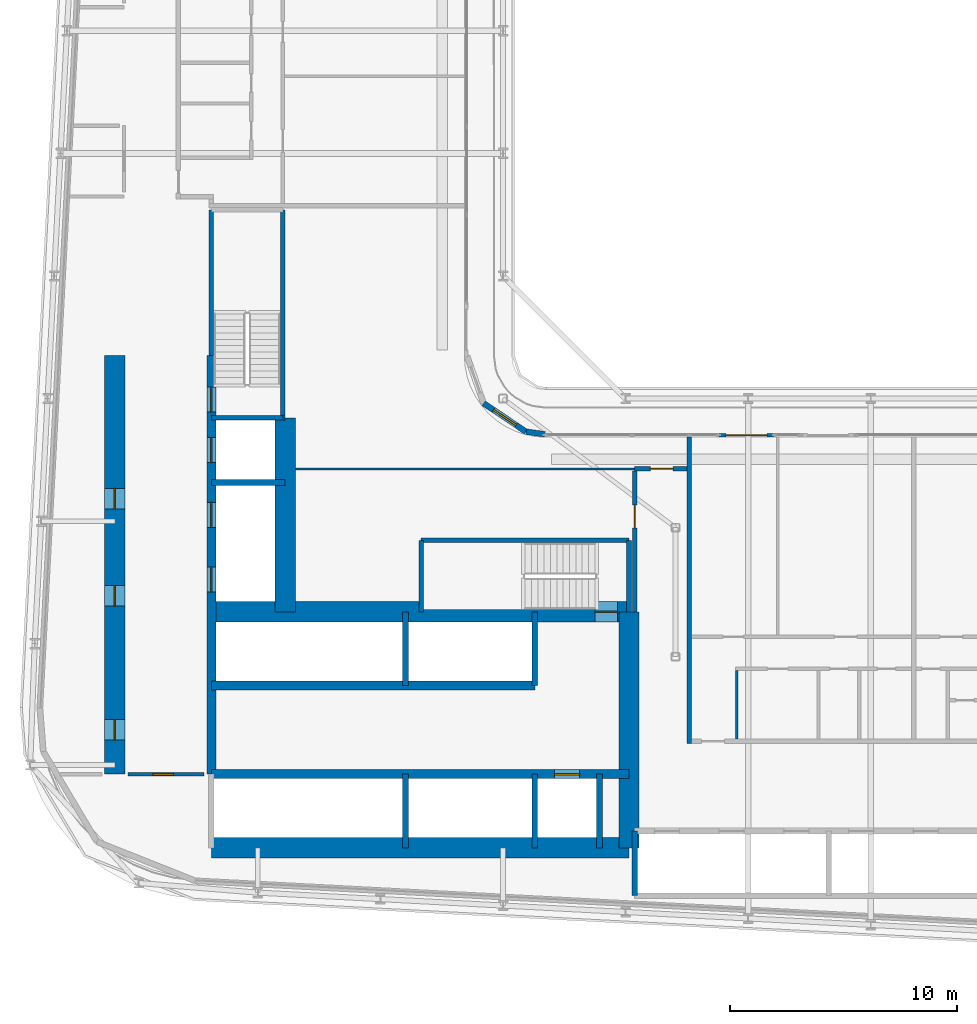
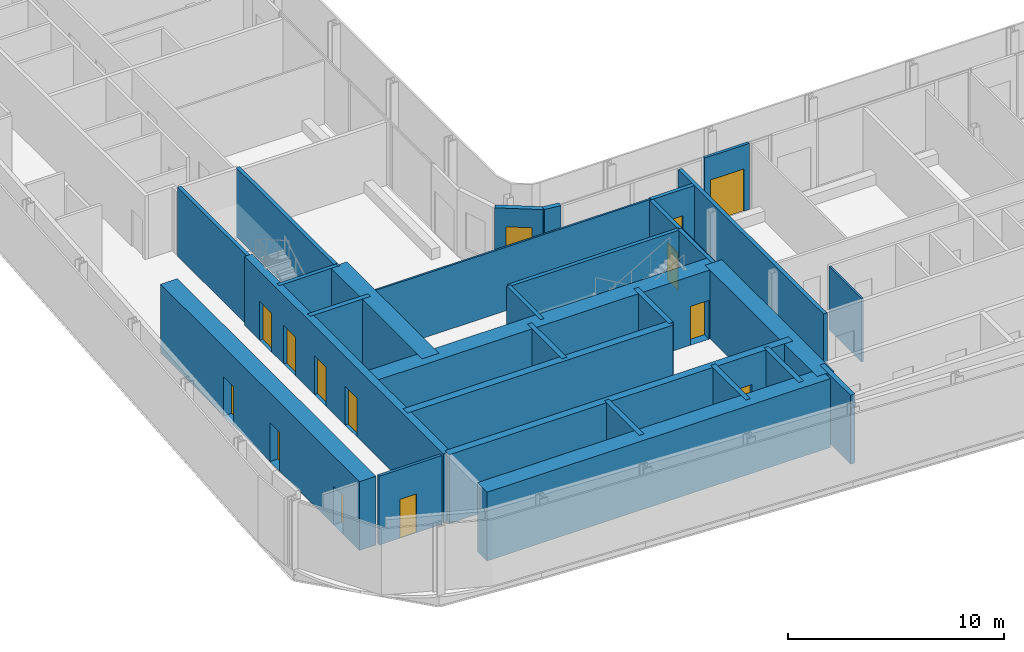
# One storey, part 13 of 28: 31 walls, 13 doors, 1 window, 14 openings.
"""IFC4 building model written with IfcOpenShell, lengths in metres."""

from ifc_helpers import new_model, si_unit, direction, frame, frame_2d, origin, place, context, subcontext, project, spatial, rectangle, extrude, source, transform, mapped, material, layer, layer_set, type_object, element, fill, save


model = new_model("IFC4")

# Units and contexts
model_context = context("Model", 3, precision=1e-05, world=origin(), true_north=direction((0.0, 1.0)))
body_context = subcontext(model_context, "Body", "Model", "MODEL_VIEW")
ifc_project = project(units=[si_unit("LENGTHUNIT", "METRE"), si_unit("AREAUNIT", "SQUARE_METRE"), si_unit("VOLUMEUNIT", "CUBIC_METRE"), si_unit("PLANEANGLEUNIT", "RADIAN"), si_unit("MASSUNIT", "GRAM", prefix="KILO")], contexts=[model_context])

# Site, building, storey
site_placement = place(None, origin())
site = spatial("IfcSite", under=ifc_project, at=site_placement, CompositionType="ELEMENT")
building_placement = place(site_placement, origin())
building = spatial("IfcBuilding", under=site, at=building_placement, Name="Kheshtan School and Residences Tower", CompositionType="ELEMENT")
storey_placement = place(building_placement, frame((0.0, 0.0, 133.10009765625)))
storey = spatial("IfcBuildingStorey", under=building, at=storey_placement, Name="L31", CompositionType="ELEMENT", Elevation=133.10009765625)

# Wall, opening, door
ifc_material_1 = material(Name="Concrete C50/60", Category="concrete")
ifc_layer_1 = layer(ifc_material_1, 0.39990234375)
ifc_layer_set_1 = layer_set([ifc_layer_1], Name="Core wall 400 Concrete C50/60")
wall_type_1 = type_object("IfcWallType", Name="Core wall 400 Concrete C50/60", PredefinedType="SHEAR", material=ifc_layer_set_1)
wall_1_placement = place(storey_placement, frame((34.75, 29.050048828125, 0.0), z_axis=(0.0, 0.0, 1.0), x_axis=(1.0, 0.0, 0.0)))
wall_1 = element("IfcWall", 1, at=wall_1_placement, inside=storey, type_object=wall_type_1, Name="Core wall CW-HALL-S1", PredefinedType="SHEAR", context=body_context, shape_type="SweptSolid", body=[
    extrude(rectangle(XDim=18.39990234375, YDim=0.39990234375, at=frame_2d((9.199951171875, 0.0))), origin(), (0.0, 0.0, 1.0), 3.89990234375),
])
opening_1_placement = place(wall_1_placement, frame((15.125, 0.0, 0.0)))
opening_1 = element("IfcOpeningElement", 2, at=opening_1_placement, cuts=wall_1, Name="Opening LD", PredefinedType="OPENING", context=body_context, shape_type="SweptSolid", body=[
    extrude(rectangle(XDim=1.10009765625, YDim=2.199951171875, at=frame_2d((0.550048828125, 1.10009765625))), frame((0.0, 0.2099609375, 0.0), z_axis=(0.0, -1.0, 0.0), x_axis=(1.0, 0.0, 0.0)), (0.0, 0.0, 1.0), 0.419921875),
])
ifc_material_2 = material(Name="Stainless steel door leaves", Category="steel")
door_type_1 = type_object("IfcDoorType", Name="Lift landing door 1100", OperationType="SLIDING_TO_LEFT", PredefinedType="DOOR", material=ifc_material_2)
shared_shape_1 = source(origin(), body_context, "Body", "SweptSolid", [
    extrude(rectangle(XDim=1.10009765625, YDim=2.199951171875, at=frame_2d((0.550048828125, 1.10009765625))), frame((0.0, 0.02490234375, 0.0), z_axis=(0.0, -1.0, 0.0), x_axis=(1.0, 0.0, 0.0)), (0.0, 0.0, 1.0), 0.050048828125),
])
door_1_placement = place(opening_1_placement, origin())
door_1 = element("IfcDoor", 3, at=door_1_placement, inside=storey, type_object=door_type_1, Name="Lift FFL2 landing door", OperationType="SLIDING_TO_LEFT", OverallHeight=2.199951171875, OverallWidth=1.10009765625, PredefinedType="DOOR", context=body_context, shape_type="MappedRepresentation", body=[
    mapped(shared_shape_1, transform((0.0, 0.0, 0.0), x_axis=(1.0, 0.0, 0.0), y_axis=(0.0, 1.0, 0.0), z_axis=(0.0, 0.0, 1.0), scale=1.0)),
])
fill(opening_1, door_1)

# Wall
wall_2_placement = place(storey_placement, frame((34.75, 32.949951171875, 0.0), z_axis=(0.0, 0.0, 1.0), x_axis=(1.0, 0.0, 0.0)))
element("IfcWall", 4, at=wall_2_placement, inside=storey, type_object=wall_type_1, Name="Core wall CW-HALL-S2", PredefinedType="SHEAR", context=body_context, shape_type="SweptSolid", body=[
    extrude(rectangle(XDim=14.25, YDim=0.39990234375, at=frame_2d((7.125, 0.0))), origin(), (0.0, 0.0, 1.0), 3.89990234375),
])

# Wall, openings, doors
wall_3_placement = place(storey_placement, frame((34.75, 29.050048828125, 0.0), z_axis=(0.0, 0.0, 1.0), x_axis=(0.0, 1.0, 0.0)))
wall_3 = element("IfcWall", 5, at=wall_3_placement, inside=storey, type_object=wall_type_1, Name="Core wall CW-HALL-W1", PredefinedType="SHEAR", context=body_context, shape_type="SweptSolid", body=[
    extrude(rectangle(XDim=18.449951171875, YDim=0.39990234375, at=frame_2d((9.22509765625, 0.0))), origin(), (0.0, 0.0, 1.0), 3.89990234375),
])
opening_2_placement = place(wall_3_placement, frame((8.02490234375, 0.0, 0.0)))
opening_2 = element("IfcOpeningElement", 6, at=opening_2_placement, cuts=wall_3, Name="Opening LD", PredefinedType="OPENING", context=body_context, shape_type="SweptSolid", body=[
    extrude(rectangle(XDim=1.10009765625, YDim=2.199951171875, at=frame_2d((0.550048828125, 1.10009765625))), frame((0.0, 0.2099609375, 0.0), z_axis=(0.0, -1.0, 0.0), x_axis=(1.0, 0.0, 0.0)), (0.0, 0.0, 1.0), 0.419921875),
])
opening_3_placement = place(wall_3_placement, frame((10.875, 0.0, 0.0)))
opening_3 = element("IfcOpeningElement", 7, at=opening_3_placement, cuts=wall_3, Name="Opening LD", PredefinedType="OPENING", context=body_context, shape_type="SweptSolid", body=[
    extrude(rectangle(XDim=1.10009765625, YDim=2.199951171875, at=frame_2d((0.550048828125, 1.10009765625))), frame((0.0, 0.2099609375, 0.0), z_axis=(0.0, -1.0, 0.0), x_axis=(1.0, 0.0, 0.0)), (0.0, 0.0, 1.0), 0.419921875),
])
opening_4_placement = place(wall_3_placement, frame((13.72509765625, 0.0, 0.0)))
opening_4 = element("IfcOpeningElement", 8, at=opening_4_placement, cuts=wall_3, Name="Opening LD", PredefinedType="OPENING", context=body_context, shape_type="SweptSolid", body=[
    extrude(rectangle(XDim=1.10009765625, YDim=2.199951171875, at=frame_2d((0.550048828125, 1.10009765625))), frame((0.0, 0.2099609375, 0.0), z_axis=(0.0, -1.0, 0.0), x_axis=(1.0, 0.0, 0.0)), (0.0, 0.0, 1.0), 0.419921875),
])
opening_5_placement = place(wall_3_placement, frame((15.949951171875, 0.0, 0.0)))
opening_5 = element("IfcOpeningElement", 9, at=opening_5_placement, cuts=wall_3, Name="Opening ST2D", PredefinedType="OPENING", context=body_context, shape_type="SweptSolid", body=[
    extrude(rectangle(XDim=1.10009765625, YDim=2.199951171875, at=frame_2d((0.550048828125, 1.10009765625))), frame((0.0, 0.2099609375, 0.0), z_axis=(0.0, -1.0, 0.0), x_axis=(1.0, 0.0, 0.0)), (0.0, 0.0, 1.0), 0.419921875),
])
door_2_placement = place(opening_2_placement, origin())
door_2 = element("IfcDoor", 10, at=door_2_placement, inside=storey, type_object=door_type_1, Name="Lift SV1 landing door", OperationType="SLIDING_TO_LEFT", OverallHeight=2.199951171875, OverallWidth=1.10009765625, PredefinedType="DOOR", context=body_context, shape_type="MappedRepresentation", body=[
    mapped(shared_shape_1, transform((0.0, 0.0, 0.0), x_axis=(1.0, 0.0, 0.0), y_axis=(0.0, 1.0, 0.0), z_axis=(0.0, 0.0, 1.0), scale=1.0)),
])
fill(opening_2, door_2)
door_3_placement = place(opening_3_placement, origin())
door_3 = element("IfcDoor", 11, at=door_3_placement, inside=storey, type_object=door_type_1, Name="Lift SV2 landing door", OperationType="SLIDING_TO_LEFT", OverallHeight=2.199951171875, OverallWidth=1.10009765625, PredefinedType="DOOR", context=body_context, shape_type="MappedRepresentation", body=[
    mapped(shared_shape_1, transform((0.0, 0.0, 0.0), x_axis=(1.0, 0.0, 0.0), y_axis=(0.0, 1.0, 0.0), z_axis=(0.0, 0.0, 1.0), scale=1.0)),
])
fill(opening_3, door_3)
door_4_placement = place(opening_4_placement, origin())
door_4 = element("IfcDoor", 12, at=door_4_placement, inside=storey, type_object=door_type_1, Name="Lift FFL1 landing door", OperationType="SLIDING_TO_LEFT", OverallHeight=2.199951171875, OverallWidth=1.10009765625, PredefinedType="DOOR", context=body_context, shape_type="MappedRepresentation", body=[
    mapped(shared_shape_1, transform((0.0, 0.0, 0.0), x_axis=(1.0, 0.0, 0.0), y_axis=(0.0, 1.0, 0.0), z_axis=(0.0, 0.0, 1.0), scale=1.0)),
])
fill(opening_4, door_4)
ifc_material_3 = material(Name="Steel door leaf, galvanised", Category="steel")
door_type_2 = type_object("IfcDoorType", Name="Stair door 1100 steel 90 min", OperationType="SINGLE_SWING_LEFT", PredefinedType="DOOR", material=ifc_material_3)
shared_shape_2 = source(origin(), body_context, "Body", "SweptSolid", [
    extrude(rectangle(XDim=1.10009765625, YDim=2.199951171875, at=frame_2d((0.550048828125, 1.10009765625))), frame((0.0, 0.02490234375, 0.0), z_axis=(0.0, -1.0, 0.0), x_axis=(1.0, 0.0, 0.0)), (0.0, 0.0, 1.0), 0.050048828125),
])
door_5_placement = place(opening_5_placement, origin())
door_5 = element("IfcDoor", 13, at=door_5_placement, inside=storey, type_object=door_type_2, Name="Stair ST2 door", OperationType="SINGLE_SWING_RIGHT", OverallHeight=2.199951171875, OverallWidth=1.10009765625, PredefinedType="DOOR", context=body_context, shape_type="MappedRepresentation", body=[
    mapped(shared_shape_2, transform((0.0, 0.0, 0.0), x_axis=(1.0, 0.0, 0.0), y_axis=(0.0, 1.0, 0.0), z_axis=(0.0, 0.0, 1.0), scale=1.0)),
])
fill(opening_5, door_5)

# Wall
ifc_material_4 = material(Name="Concrete C80/95", Category="concrete")
ifc_layer_2 = layer(ifc_material_4, 0.89990234375)
ifc_layer_set_2 = layer_set([ifc_layer_2], Name="Core wall 900 Concrete C80/95")
wall_type_2 = type_object("IfcWallType", Name="Core wall 900 Concrete C80/95", PredefinedType="SHEAR", material=ifc_layer_set_2)
wall_4_placement = place(storey_placement, frame((34.75, 25.800048828125, 0.0), z_axis=(0.0, 0.0, 1.0), x_axis=(1.0, 0.0, 0.0)))
element("IfcWall", 14, at=wall_4_placement, inside=storey, type_object=wall_type_2, Name="Core wall CW-REAR-S", PredefinedType="SHEAR", context=body_context, shape_type="SweptSolid", body=[
    extrude(rectangle(XDim=18.39990234375, YDim=0.89990234375, at=frame_2d((9.199951171875, 0.0))), origin(), (0.0, 0.0, 1.0), 3.89990234375),
])

# Wall, opening, door
wall_5_placement = place(storey_placement, frame((34.75, 36.199951171875, 0.0), z_axis=(0.0, 0.0, 1.0), x_axis=(1.0, 0.0, 0.0)))
wall_5 = element("IfcWall", 15, at=wall_5_placement, inside=storey, type_object=wall_type_2, Name="Core wall CW-FRONT-S", PredefinedType="SHEAR", context=body_context, shape_type="SweptSolid", body=[
    extrude(rectangle(XDim=18.39990234375, YDim=0.89990234375, at=frame_2d((9.199951171875, 0.0))), origin(), (0.0, 0.0, 1.0), 3.89990234375),
])
opening_6_placement = place(wall_5_placement, frame((16.89990234375, 0.0, 0.0)))
opening_6 = element("IfcOpeningElement", 16, at=opening_6_placement, cuts=wall_5, Name="Opening ST1D", PredefinedType="OPENING", context=body_context, shape_type="SweptSolid", body=[
    extrude(rectangle(XDim=1.0, YDim=2.199951171875, at=frame_2d((0.5, 1.10009765625))), frame((0.0, 0.4599609375, 0.0), z_axis=(0.0, -1.0, 0.0), x_axis=(1.0, 0.0, 0.0)), (0.0, 0.0, 1.0), 0.919921875),
])
shared_shape_3 = source(origin(), body_context, "Body", "SweptSolid", [
    extrude(rectangle(XDim=1.0, YDim=2.199951171875, at=frame_2d((0.5, 1.10009765625))), frame((0.0, 0.02490234375, 0.0), z_axis=(0.0, -1.0, 0.0), x_axis=(1.0, 0.0, 0.0)), (0.0, 0.0, 1.0), 0.050048828125),
])
door_6_placement = place(opening_6_placement, origin())
door_6 = element("IfcDoor", 17, at=door_6_placement, inside=storey, type_object=door_type_2, Name="Stair ST1 door", OperationType="SINGLE_SWING_RIGHT", OverallHeight=2.199951171875, OverallWidth=1.0, PredefinedType="DOOR", context=body_context, shape_type="MappedRepresentation", body=[
    mapped(shared_shape_3, transform((0.0, 0.0, 0.0), x_axis=(1.0, 0.0, 0.0), y_axis=(0.0, 1.0, 0.0), z_axis=(0.0, 0.0, 1.0), scale=1.0)),
])
fill(opening_6, door_6)

# Wall
wall_6_placement = place(storey_placement, frame((38.0, 36.199951171875, 0.0), z_axis=(0.0, 0.0, 1.0), x_axis=(0.0, 1.0, 0.0)))
element("IfcWall", 18, at=wall_6_placement, inside=storey, type_object=wall_type_2, Name="Core wall CW-FRONT-W", PredefinedType="SHEAR", context=body_context, shape_type="SweptSolid", body=[
    extrude(rectangle(XDim=8.550048828125, YDim=0.89990234375, at=frame_2d((4.27490234375, 0.0))), origin(), (0.0, 0.0, 1.0), 3.89990234375),
])

# Wall, openings, doors
wall_7_placement = place(storey_placement, frame((30.5, 29.050048828125, 0.0), z_axis=(0.0, 0.0, 1.0), x_axis=(0.0, 1.0, 0.0)))
wall_7 = element("IfcWall", 19, at=wall_7_placement, inside=storey, type_object=wall_type_2, Name="Core wall CW-REAR-W", PredefinedType="SHEAR", context=body_context, shape_type="SweptSolid", body=[
    extrude(rectangle(XDim=18.449951171875, YDim=0.89990234375, at=frame_2d((9.22509765625, 0.0))), origin(), (0.0, 0.0, 1.0), 3.89990234375),
])
opening_7_placement = place(wall_7_placement, frame((1.5, 0.0, 0.0)))
opening_7 = element("IfcOpeningElement", 20, at=opening_7_placement, cuts=wall_7, Name="Opening SR90", PredefinedType="OPENING", context=body_context, shape_type="SweptSolid", body=[
    extrude(rectangle(XDim=0.89990234375, YDim=2.199951171875, at=frame_2d((0.449951171875, 1.10009765625))), frame((0.0, 0.4599609375, 0.0), z_axis=(0.0, -1.0, 0.0), x_axis=(1.0, 0.0, 0.0)), (0.0, 0.0, 1.0), 0.919921875),
])
opening_8_placement = place(wall_7_placement, frame((7.406005859375, 0.0, 0.0)))
opening_8 = element("IfcOpeningElement", 21, at=opening_8_placement, cuts=wall_7, Name="Opening SR90", PredefinedType="OPENING", context=body_context, shape_type="SweptSolid", body=[
    extrude(rectangle(XDim=0.89990234375, YDim=2.199951171875, at=frame_2d((0.449951171875, 1.10009765625))), frame((0.0, 0.4599609375, 0.0), z_axis=(0.0, -1.0, 0.0), x_axis=(1.0, 0.0, 0.0)), (0.0, 0.0, 1.0), 0.919921875),
])
opening_9_placement = place(wall_7_placement, frame((11.68798828125, 0.0, 0.0)))
opening_9 = element("IfcOpeningElement", 22, at=opening_9_placement, cuts=wall_7, Name="Opening SR90", PredefinedType="OPENING", context=body_context, shape_type="SweptSolid", body=[
    extrude(rectangle(XDim=0.89990234375, YDim=2.199951171875, at=frame_2d((0.449951171875, 1.10009765625))), frame((0.0, 0.4599609375, 0.0), z_axis=(0.0, -1.0, 0.0), x_axis=(1.0, 0.0, 0.0)), (0.0, 0.0, 1.0), 0.919921875),
])
door_type_3 = type_object("IfcDoorType", Name="Service room door 900 steel 90 min", OperationType="SINGLE_SWING_LEFT", PredefinedType="DOOR", material=ifc_material_3)
shared_shape_4 = source(origin(), body_context, "Body", "SweptSolid", [
    extrude(rectangle(XDim=0.89990234375, YDim=2.199951171875, at=frame_2d((0.449951171875, 1.10009765625))), frame((0.0, 0.02490234375, 0.0), z_axis=(0.0, -1.0, 0.0), x_axis=(1.0, 0.0, 0.0)), (0.0, 0.0, 1.0), 0.050048828125),
])
door_7_placement = place(opening_7_placement, origin())
door_7 = element("IfcDoor", 23, at=door_7_placement, inside=storey, type_object=door_type_3, Name="Service room door", OperationType="SINGLE_SWING_LEFT", OverallHeight=2.199951171875, OverallWidth=0.89990234375, PredefinedType="DOOR", context=body_context, shape_type="MappedRepresentation", body=[
    mapped(shared_shape_4, transform((0.0, 0.0, 0.0), x_axis=(1.0, 0.0, 0.0), y_axis=(0.0, 1.0, 0.0), z_axis=(0.0, 0.0, 1.0), scale=1.0)),
])
fill(opening_7, door_7)
door_8_placement = place(opening_8_placement, origin())
door_8 = element("IfcDoor", 24, at=door_8_placement, inside=storey, type_object=door_type_3, Name="Service room door", OperationType="SINGLE_SWING_RIGHT", OverallHeight=2.199951171875, OverallWidth=0.89990234375, PredefinedType="DOOR", context=body_context, shape_type="MappedRepresentation", body=[
    mapped(shared_shape_4, transform((0.0, 0.0, 0.0), x_axis=(1.0, 0.0, 0.0), y_axis=(0.0, 1.0, 0.0), z_axis=(0.0, 0.0, 1.0), scale=1.0)),
])
fill(opening_8, door_8)
door_9_placement = place(opening_9_placement, origin())
door_9 = element("IfcDoor", 25, at=door_9_placement, inside=storey, type_object=door_type_3, Name="Service room door", OperationType="SINGLE_SWING_LEFT", OverallHeight=2.199951171875, OverallWidth=0.89990234375, PredefinedType="DOOR", context=body_context, shape_type="MappedRepresentation", body=[
    mapped(shared_shape_4, transform((0.0, 0.0, 0.0), x_axis=(1.0, 0.0, 0.0), y_axis=(0.0, 1.0, 0.0), z_axis=(0.0, 0.0, 1.0), scale=1.0)),
])
fill(opening_9, door_9)

# Wall
wall_8_placement = place(storey_placement, frame((53.14990234375, 25.800048828125, 0.0), z_axis=(0.0, 0.0, 1.0), x_axis=(0.0, 1.0, 0.0)))
element("IfcWall", 26, at=wall_8_placement, inside=storey, type_object=wall_type_2, Name="Core wall CW-EAST", PredefinedType="SHEAR", context=body_context, shape_type="SweptSolid", body=[
    extrude(rectangle(XDim=10.39990234375, YDim=0.89990234375, at=frame_2d((5.199951171875, 0.0))), origin(), (0.0, 0.0, 1.0), 3.89990234375),
])

# Wall, opening, door
ifc_material_5 = material(Name="Gypsum board on steel studs with fire boards", Category="steel")
ifc_layer_3 = layer(ifc_material_5, 0.199951171875)
ifc_layer_set_3 = layer_set([ifc_layer_3], Name="Corridor wall 200")
wall_type_3 = type_object("IfcWallType", Name="Corridor wall 200", PredefinedType="PARTITIONING", material=ifc_layer_set_3)
wall_9_placement = place(storey_placement, frame((53.39990234375, 36.198974609375, 0.0), z_axis=(0.0, 0.0, 1.0), x_axis=(0.0, 1.0, 0.0)))
wall_9 = element("IfcWall", 27, at=wall_9_placement, inside=storey, type_object=wall_type_3, Name="Partition L31-044", PredefinedType="PARTITIONING", context=body_context, shape_type="SweptSolid", body=[
    extrude(rectangle(XDim=6.200927734375, YDim=0.199951171875, at=frame_2d((3.1005859375, 0.0))), origin(), (0.0, 0.0, 1.0), 3.599853515625),
])
opening_10_placement = place(wall_9_placement, frame((3.70703125, 0.0, 0.0)))
opening_10 = element("IfcOpeningElement", 28, at=opening_10_placement, cuts=wall_9, Name="Opening D29-063", PredefinedType="OPENING", context=body_context, shape_type="SweptSolid", body=[
    extrude(rectangle(XDim=1.0, YDim=2.10009765625, at=frame_2d((0.5, 1.050048828125))), frame((0.0, 0.10986328125, 0.0), z_axis=(0.0, -1.0, 0.0), x_axis=(1.0, 0.0, 0.0)), (0.0, 0.0, 1.0), 0.219970703125),
])
ifc_material_6 = material(Name="Steel-framed fire-resisting door leaf", Category="steel")
door_type_4 = type_object("IfcDoorType", Name="Fire door FD60 1000 x 2100", OperationType="SINGLE_SWING_LEFT", PredefinedType="DOOR", material=ifc_material_6)
shared_shape_5 = source(origin(), body_context, "Body", "SweptSolid", [
    extrude(rectangle(XDim=1.0, YDim=2.10009765625, at=frame_2d((0.5, 1.050048828125))), frame((0.0, 0.02490234375, 0.0), z_axis=(0.0, -1.0, 0.0), x_axis=(1.0, 0.0, 0.0)), (0.0, 0.0, 1.0), 0.050048828125),
])
door_10_placement = place(opening_10_placement, origin())
door_10 = element("IfcDoor", 29, at=door_10_placement, inside=storey, type_object=door_type_4, Name="Door D29-063", OperationType="SINGLE_SWING_LEFT", OverallHeight=2.10009765625, OverallWidth=1.0, PredefinedType="DOOR", context=body_context, shape_type="MappedRepresentation", body=[
    mapped(shared_shape_5, transform((0.0, 0.0, 0.0), x_axis=(1.0, 0.0, 0.0), y_axis=(0.0, 1.0, 0.0), z_axis=(0.0, 0.0, 1.0), scale=1.0)),
])
fill(opening_10, door_10)

wall_10_placement = place(storey_placement, frame((53.39990234375, 42.5, 0.0), z_axis=(0.0, 0.0, 1.0), x_axis=(1.0, 0.0, 0.0)))
wall_10 = element("IfcWall", 30, at=wall_10_placement, inside=storey, type_object=wall_type_3, Name="Partition L31-045", PredefinedType="PARTITIONING", context=body_context, shape_type="SweptSolid", body=[
    extrude(rectangle(XDim=2.300048828125, YDim=0.199951171875, at=frame_2d((1.14990234375, 0.0))), origin(), (0.0, 0.0, 1.0), 3.599853515625),
])
opening_11_placement = place(wall_10_placement, frame((0.695068359375, 0.0, 0.0)))
opening_11 = element("IfcOpeningElement", 31, at=opening_11_placement, cuts=wall_10, Name="Opening D29-064", PredefinedType="OPENING", context=body_context, shape_type="SweptSolid", body=[
    extrude(rectangle(XDim=1.0, YDim=2.10009765625, at=frame_2d((0.5, 1.050048828125))), frame((0.0, 0.10986328125, 0.0), z_axis=(0.0, -1.0, 0.0), x_axis=(1.0, 0.0, 0.0)), (0.0, 0.0, 1.0), 0.219970703125),
])
door_11_placement = place(opening_11_placement, origin())
door_11 = element("IfcDoor", 32, at=door_11_placement, inside=storey, type_object=door_type_4, Name="Door D29-064", OperationType="SINGLE_SWING_RIGHT", OverallHeight=2.10009765625, OverallWidth=1.0, PredefinedType="DOOR", context=body_context, shape_type="MappedRepresentation", body=[
    mapped(shared_shape_5, transform((0.0, 0.0, 0.0), x_axis=(1.0, 0.0, 0.0), y_axis=(0.0, 1.0, 0.0), z_axis=(0.0, 0.0, 1.0), scale=1.0)),
])
fill(opening_11, door_11)

# Wall, opening, window
ifc_material_7 = material(Name="Concrete C40/50 with ceramic cladding and mineral wool insulation", Category="concrete")
ifc_layer_4 = layer(ifc_material_7, 0.25)
ifc_layer_set_4 = layer_set([ifc_layer_4], Name="External wall 250 ceramic clad")
wall_type_4 = type_object("IfcWallType", Name="External wall 250 ceramic clad", PredefinedType="SOLIDWALL", material=ifc_layer_set_4)
wall_11_placement = place(storey_placement, frame((46.742919921875, 45.388916015625, 0.0), z_axis=(0.0, 0.0, 1.0), x_axis=(0.831449265529, -0.555600682912, 0.0)))
wall_11 = element("IfcWall", 33, at=wall_11_placement, inside=storey, type_object=wall_type_4, Name="External wall L31 10", PredefinedType="SOLIDWALL", context=body_context, shape_type="SweptSolid", body=[
    extrude(rectangle(XDim=2.25146484375, YDim=0.25, at=frame_2d((1.125732421875, 0.0))), origin(), (0.0, 0.0, 1.0), 3.75),
])
opening_12_placement = place(wall_11_placement, frame((0.52490234375, 0.0, 0.60009765625)))
opening_12 = element("IfcOpeningElement", 34, at=opening_12_placement, cuts=wall_11, Name="Opening WN-E", PredefinedType="OPENING", context=body_context, shape_type="SweptSolid", body=[
    extrude(rectangle(XDim=1.199951171875, YDim=2.10009765625, at=frame_2d((0.60009765625, 1.050048828125))), frame((0.0, 0.135009765625, 0.0), z_axis=(0.0, -1.0, 0.0), x_axis=(1.0, 0.0, 0.0)), (0.0, 0.0, 1.0), 0.27001953125),
])
ifc_material_8 = material(Name="Clear low-e glass in thermally broken aluminium frame", Category="aluminium")
window_type = type_object("IfcWindowType", Name="Window WN-E", PartitioningType="SINGLE_PANEL", PredefinedType="WINDOW", material=ifc_material_8)
shared_shape_6 = source(origin(), body_context, "Body", "SweptSolid", [
    extrude(rectangle(XDim=1.199951171875, YDim=2.10009765625, at=frame_2d((0.60009765625, 1.050048828125))), frame((0.0, 0.030029296875, 0.0), z_axis=(0.0, -1.0, 0.0), x_axis=(1.0, 0.0, 0.0)), (0.0, 0.0, 1.0), 0.06005859375),
])
window_placement = place(opening_12_placement, origin())
window = element("IfcWindow", 35, at=window_placement, inside=storey, type_object=window_type, Name="Window L31 10", OverallHeight=2.10009765625, OverallWidth=1.199951171875, PartitioningType="SINGLE_PANEL", PredefinedType="WINDOW", context=body_context, shape_type="MappedRepresentation", body=[
    mapped(shared_shape_6, transform((0.0, 0.0, 0.0), x_axis=(1.0, 0.0, 0.0), y_axis=(0.0, 1.0, 0.0), z_axis=(0.0, 0.0, 1.0), scale=1.0)),
])
fill(opening_12, window)

# Wall
wall_12_placement = place(storey_placement, frame((48.614990234375, 44.137939453125, 0.0), z_axis=(0.0, 0.0, 1.0), x_axis=(0.990741504246, -0.135761819977, 0.0)))
element("IfcWall", 36, at=wall_12_placement, inside=storey, type_object=wall_type_4, Name="External wall L31 11", PredefinedType="SOLIDWALL", context=body_context, shape_type="SweptSolid", body=[
    extrude(rectangle(XDim=0.83984375, YDim=0.25, at=frame_2d((0.419921875, 0.0))), origin(), (0.0, 0.0, 1.0), 3.75),
])

# Wall, opening, door
ifc_material_9 = material(Name="Aluminium frame wall with insulated infill", Category="aluminium")
ifc_layer_5 = layer(ifc_material_9, 0.14990234375)
ifc_layer_set_5 = layer_set([ifc_layer_5], Name="Glazing frame wall 150")
wall_type_5 = type_object("IfcWallType", Name="Glazing frame wall 150", PredefinedType="SOLIDWALL", material=ifc_layer_set_5)
wall_13_placement = place(storey_placement, frame((57.1240234375, 43.97509765625, 0.0), z_axis=(0.0, 0.0, 1.0), x_axis=(1.0, 0.0, 0.0)))
wall_13 = element("IfcWall", 37, at=wall_13_placement, inside=storey, type_object=wall_type_5, Name="Balcony door wall L31 12.1", PredefinedType="SOLIDWALL", context=body_context, shape_type="SweptSolid", body=[
    extrude(rectangle(XDim=2.39990234375, YDim=0.14990234375, at=frame_2d((1.199951171875, 0.0))), origin(), (0.0, 0.0, 1.0), 3.75),
])
opening_13_placement = place(wall_13_placement, frame((0.300048828125, 0.0, 0.0)))
opening_13 = element("IfcOpeningElement", 38, at=opening_13_placement, cuts=wall_13, Name="Opening BD", PredefinedType="OPENING", context=body_context, shape_type="SweptSolid", body=[
    extrude(rectangle(XDim=1.800048828125, YDim=2.39990234375, at=frame_2d((0.89990234375, 1.199951171875))), frame((0.0, 0.0849609375, 0.0), z_axis=(0.0, -1.0, 0.0), x_axis=(1.0, 0.0, 0.0)), (0.0, 0.0, 1.0), 0.169921875),
])
door_type_5 = type_object("IfcDoorType", Name="Balcony sliding door", OperationType="SLIDING_TO_LEFT", PredefinedType="DOOR", material=ifc_material_8)
shared_shape_7 = source(origin(), body_context, "Body", "SweptSolid", [
    extrude(rectangle(XDim=1.800048828125, YDim=2.39990234375, at=frame_2d((0.89990234375, 1.199951171875))), frame((0.0, 0.02490234375, 0.0), z_axis=(0.0, -1.0, 0.0), x_axis=(1.0, 0.0, 0.0)), (0.0, 0.0, 1.0), 0.050048828125),
])
door_12_placement = place(opening_13_placement, origin())
door_12 = element("IfcDoor", 39, at=door_12_placement, inside=storey, type_object=door_type_5, Name="Balcony door L31 12.1", OperationType="SLIDING_TO_LEFT", OverallHeight=2.39990234375, OverallWidth=1.800048828125, PredefinedType="DOOR", context=body_context, shape_type="MappedRepresentation", body=[
    mapped(shared_shape_7, transform((0.0, 0.0, 0.0), x_axis=(1.0, 0.0, 0.0), y_axis=(0.0, 1.0, 0.0), z_axis=(0.0, 0.0, 1.0), scale=1.0)),
])
fill(opening_13, door_12)

# Walls
ifc_material_10 = material(Name="Gypsum board on steel studs", Category="steel")
ifc_layer_6 = layer(ifc_material_10, 0.10009765625)
ifc_layer_set_6 = layer_set([ifc_layer_6], Name="Gypsum partition 100")
wall_type_6 = type_object("IfcWallType", Name="Gypsum partition 100", PredefinedType="PARTITIONING", material=ifc_layer_set_6)
wall_14_placement = place(storey_placement, frame((38.448974609375, 42.5, 0.0), z_axis=(0.0, 0.0, 1.0), x_axis=(1.0, 0.0, 0.0)))
element("IfcWall", 40, at=wall_14_placement, inside=storey, type_object=wall_type_6, Name="Partition L31-042", PredefinedType="PARTITIONING", context=body_context, shape_type="SweptSolid", body=[
    extrude(rectangle(XDim=14.950927734375, YDim=0.10009765625, at=frame_2d((7.4755859375, 0.0))), origin(), (0.0, 0.0, 1.0), 3.599853515625),
])
wall_15_placement = place(storey_placement, frame((57.89990234375, 30.60009765625, 0.0), z_axis=(0.0, 0.0, 1.0), x_axis=(0.0, 1.0, 0.0)))
element("IfcWall", 41, at=wall_15_placement, inside=storey, type_object=wall_type_6, Name="Partition L31-050", PredefinedType="PARTITIONING", context=body_context, shape_type="SweptSolid", body=[
    extrude(rectangle(XDim=3.02490234375, YDim=0.10009765625, at=frame_2d((1.512451171875, 0.0))), origin(), (0.0, 0.0, 1.0), 3.599853515625),
])

# Wall, opening, door
ifc_material_11 = material(Name="Fire-board shaft wall system")
ifc_layer_7 = layer(ifc_material_11, 0.14990234375)
ifc_layer_set_7 = layer_set([ifc_layer_7], Name="Service room wall 150")
wall_type_7 = type_object("IfcWallType", Name="Service room wall 150", PredefinedType="PARTITIONING", material=ifc_layer_set_7)
wall_16_placement = place(storey_placement, frame((31.070068359375, 29.050048828125, 0.0), z_axis=(0.0, 0.0, 1.0), x_axis=(1.0, 0.0, 0.0)))
wall_16 = element("IfcWall", 42, at=wall_16_placement, inside=storey, type_object=wall_type_7, Name="Service room wall", PredefinedType="PARTITIONING", context=body_context, shape_type="SweptSolid", body=[
    extrude(rectangle(XDim=3.35986328125, YDim=0.14990234375, at=frame_2d((1.679931640625, 0.0))), origin(), (0.0, 0.0, 1.0), 3.89990234375),
])
opening_14_placement = place(wall_16_placement, frame((1.10498046875, 0.0, 0.0)))
opening_14 = element("IfcOpeningElement", 43, at=opening_14_placement, cuts=wall_16, Name="Opening SR90", PredefinedType="OPENING", context=body_context, shape_type="SweptSolid", body=[
    extrude(rectangle(XDim=0.89990234375, YDim=2.199951171875, at=frame_2d((0.449951171875, 1.10009765625))), frame((0.0, 0.0849609375, 0.0), z_axis=(0.0, -1.0, 0.0), x_axis=(1.0, 0.0, 0.0)), (0.0, 0.0, 1.0), 0.169921875),
])
door_13_placement = place(opening_14_placement, origin())
door_13 = element("IfcDoor", 44, at=door_13_placement, inside=storey, type_object=door_type_3, Name="Service room door", OperationType="SINGLE_SWING_RIGHT", OverallHeight=2.199951171875, OverallWidth=0.89990234375, PredefinedType="DOOR", context=body_context, shape_type="MappedRepresentation", body=[
    mapped(shared_shape_4, transform((0.0, 0.0, 0.0), x_axis=(1.0, 0.0, 0.0), y_axis=(0.0, 1.0, 0.0), z_axis=(0.0, 0.0, 1.0), scale=1.0)),
])
fill(opening_14, door_13)

# Walls
ifc_layer_8 = layer(ifc_material_11, 0.25)
ifc_layer_set_8 = layer_set([ifc_layer_8], Name="Shaft lining wall 250")
wall_type_8 = type_object("IfcWallType", Name="Shaft lining wall 250", PredefinedType="PARTITIONING", material=ifc_layer_set_8)
for number, where, z_axis, x_axis, name in (
    (45, (43.300048828125, 25.800048828125, 0.0), (0.0, 0.0, 1.0), (0.0, 1.0, 0.0), "Shaft lining wall"),
    (46, (43.300048828125, 32.949951171875, 0.0), (0.0, 0.0, 1.0), (0.0, 1.0, 0.0), "Shaft lining wall"),
    (47, (49.0, 25.800048828125, 0.0), (0.0, 0.0, 1.0), (0.0, 1.0, 0.0), "Shaft lining wall"),
    (48, (49.0, 32.949951171875, 0.0), (0.0, 0.0, 1.0), (0.0, 1.0, 0.0), "Shaft lining wall"),
    (49, (51.85009765625, 25.800048828125, 0.0), (0.0, 0.0, 1.0), (0.0, 1.0, 0.0), "Shaft lining wall"),
):
    element("IfcWall", number, at=place(storey_placement, frame(where, z_axis=z_axis, x_axis=x_axis)), inside=storey, type_object=wall_type_8, Name=name, PredefinedType="PARTITIONING", context=body_context, shape_type="SweptSolid", body=[
        extrude(rectangle(XDim=3.25, YDim=0.25, at=frame_2d((1.625, 0.0))), origin(), (0.0, 0.0, 1.0), 3.89990234375),
    ])
wall_17_placement = place(storey_placement, frame((53.39990234375, 23.699951171875, 0.0), z_axis=(0.0, 0.0, 1.0), x_axis=(0.0, 1.0, 0.0)))
element("IfcWall", 50, at=wall_17_placement, inside=storey, type_object=wall_type_8, Name="Shaft lining wall", PredefinedType="PARTITIONING", context=body_context, shape_type="SweptSolid", body=[
    extrude(rectangle(XDim=2.85009765625, YDim=0.25, at=frame_2d((1.425048828125, 0.0))), origin(), (0.0, 0.0, 1.0), 3.89990234375),
])
wall_18_placement = place(storey_placement, frame((34.75, 41.89990234375, 0.0), z_axis=(0.0, 0.0, 1.0), x_axis=(1.0, 0.0, 0.0)))
element("IfcWall", 51, at=wall_18_placement, inside=storey, type_object=wall_type_8, Name="Shaft lining wall", PredefinedType="PARTITIONING", context=body_context, shape_type="SweptSolid", body=[
    extrude(rectangle(XDim=3.25, YDim=0.25, at=frame_2d((1.625, 0.0))), origin(), (0.0, 0.0, 1.0), 3.89990234375),
])
wall_19_placement = place(storey_placement, frame((37.89990234375, 44.75, 0.0), z_axis=(0.0, 0.0, 1.0), x_axis=(1.0, 0.0, 0.0)))
element("IfcWall", 52, at=wall_19_placement, inside=storey, type_object=wall_type_8, Name="Shaft lining wall", PredefinedType="PARTITIONING", context=body_context, shape_type="SweptSolid", body=[
    extrude(rectangle(XDim=0.10009765625, YDim=0.25, at=frame_2d((0.050048828125, 0.0))), origin(), (0.0, 0.0, 1.0), 3.89990234375),
])
ifc_material_12 = material(Name="Concrete C40/50", Category="concrete")
ifc_layer_9 = layer(ifc_material_12, 0.199951171875)
ifc_layer_set_9 = layer_set([ifc_layer_9], Name="Stair enclosure wall 200 Concrete C40/50")
wall_type_9 = type_object("IfcWallType", Name="Stair enclosure wall 200 Concrete C40/50", PredefinedType="SHEAR", material=ifc_layer_set_9)
wall_20_placement = place(storey_placement, frame((43.989990234375, 39.35009765625, 0.0), z_axis=(0.0, 0.0, 1.0), x_axis=(1.0, 0.0, 0.0)))
element("IfcWall", 53, at=wall_20_placement, inside=storey, type_object=wall_type_9, Name="Stair enclosure wall ST1", PredefinedType="SHEAR", context=body_context, shape_type="SweptSolid", body=[
    extrude(rectangle(XDim=9.159912109375, YDim=0.199951171875, at=frame_2d((4.580078125, 0.0))), origin(), (0.0, 0.0, 1.0), 3.89990234375),
])
for number, where, z_axis, x_axis, name in (
    (54, (43.989990234375, 36.199951171875, 0.0), (0.0, 0.0, 1.0), (0.0, 1.0, 0.0), "Stair enclosure wall ST1"),
    (55, (53.14990234375, 36.199951171875, 0.0), (0.0, 0.0, 1.0), (0.0, 1.0, 0.0), "Stair enclosure wall ST1"),
):
    element("IfcWall", number, at=place(storey_placement, frame(where, z_axis=z_axis, x_axis=x_axis)), inside=storey, type_object=wall_type_9, Name=name, PredefinedType="SHEAR", context=body_context, shape_type="SweptSolid", body=[
        extrude(rectangle(XDim=3.150146484375, YDim=0.199951171875, at=frame_2d((1.5751953125, 0.0))), origin(), (0.0, 0.0, 1.0), 3.89990234375),
    ])
wall_21_placement = place(storey_placement, frame((34.75, 44.75, 0.0), z_axis=(0.0, 0.0, 1.0), x_axis=(1.0, 0.0, 0.0)))
element("IfcWall", 56, at=wall_21_placement, inside=storey, type_object=wall_type_9, Name="Stair enclosure wall ST2", PredefinedType="SHEAR", context=body_context, shape_type="SweptSolid", body=[
    extrude(rectangle(XDim=3.14990234375, YDim=0.199951171875, at=frame_2d((1.574951171875, 0.0))), origin(), (0.0, 0.0, 1.0), 3.89990234375),
])
wall_22_placement = place(storey_placement, frame((34.75, 47.5, 0.0), z_axis=(0.0, 0.0, 1.0), x_axis=(0.0, 1.0, 0.0)))
element("IfcWall", 57, at=wall_22_placement, inside=storey, type_object=wall_type_9, Name="Stair enclosure wall ST2", PredefinedType="SHEAR", context=body_context, shape_type="SweptSolid", body=[
    extrude(rectangle(XDim=6.409912109375, YDim=0.199951171875, at=frame_2d((3.205078125, 0.0))), origin(), (0.0, 0.0, 1.0), 3.89990234375),
])
wall_23_placement = place(storey_placement, frame((37.89990234375, 44.75, 0.0), z_axis=(0.0, 0.0, 1.0), x_axis=(0.0, 1.0, 0.0)))
element("IfcWall", 58, at=wall_23_placement, inside=storey, type_object=wall_type_9, Name="Stair enclosure wall ST2", PredefinedType="SHEAR", context=body_context, shape_type="SweptSolid", body=[
    extrude(rectangle(XDim=9.159912109375, YDim=0.199951171875, at=frame_2d((4.580078125, 0.0))), origin(), (0.0, 0.0, 1.0), 3.89990234375),
])
ifc_material_13 = material(Name="Twin gypsum board on steel studs with mineral wool", Category="steel")
ifc_layer_10 = layer(ifc_material_13, 0.199951171875)
ifc_layer_set_10 = layer_set([ifc_layer_10], Name="Unit demising wall 200")
wall_type_10 = type_object("IfcWallType", Name="Unit demising wall 200", PredefinedType="PARTITIONING", material=ifc_layer_set_10)
wall_24_placement = place(storey_placement, frame((55.800048828125, 30.39990234375, 0.0), z_axis=(0.0, 0.0, 1.0), x_axis=(0.0, 1.0, 0.0)))
element("IfcWall", 59, at=wall_24_placement, inside=storey, type_object=wall_type_10, Name="Partition L31-046", PredefinedType="PARTITIONING", context=body_context, shape_type="SweptSolid", body=[
    extrude(rectangle(XDim=13.5, YDim=0.199951171875, at=frame_2d((6.75, 0.0))), origin(), (0.0, 0.0, 1.0), 3.599853515625),
])

save(model, "model.ifc")
